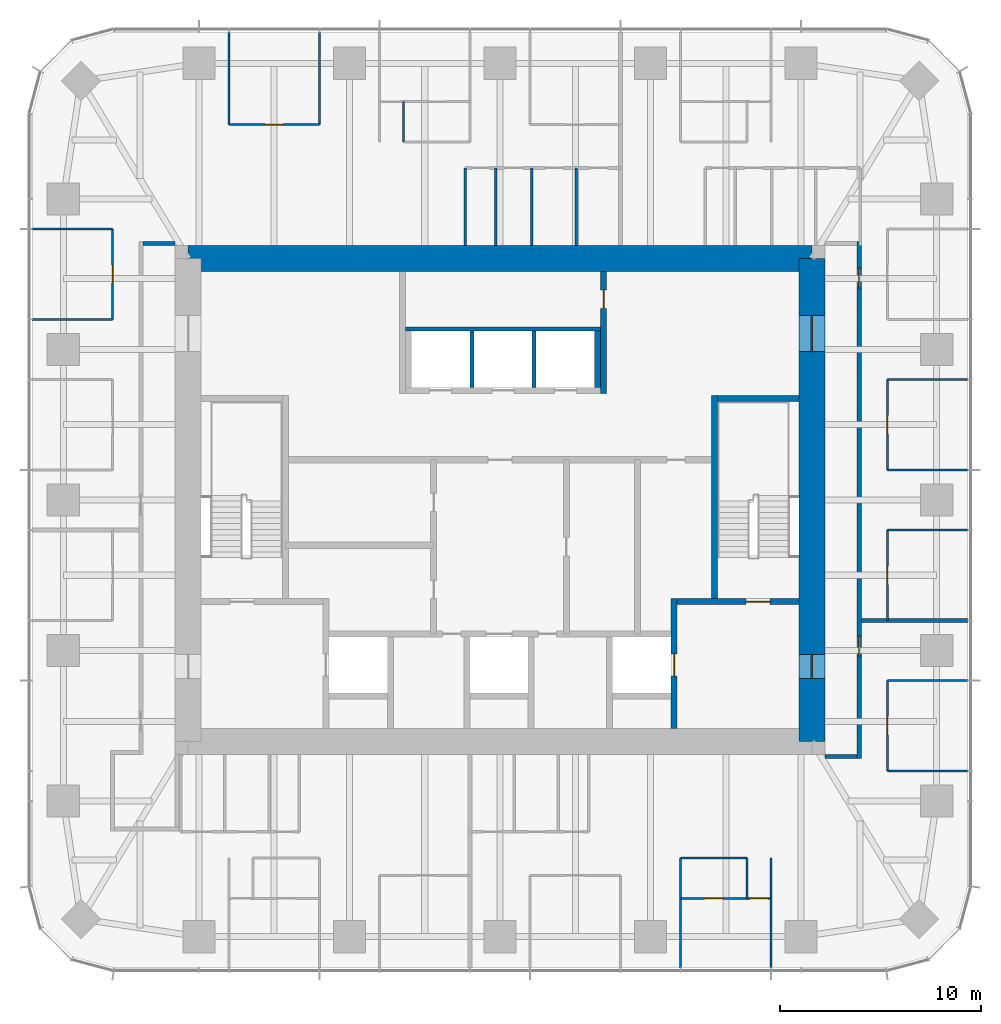
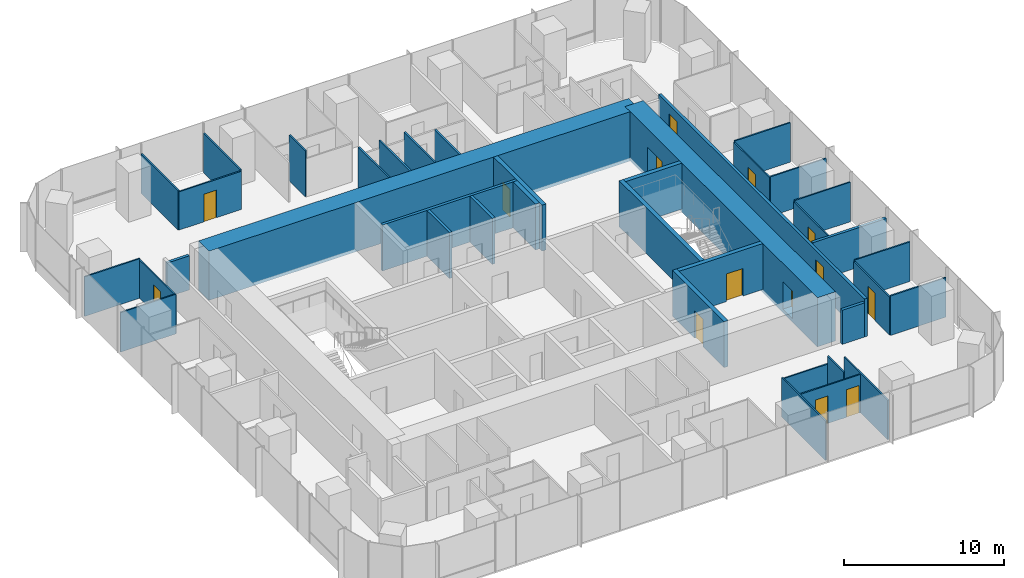
# One storey, part 10 of 12: 39 walls, 14 doors, 14 openings.
"""IFC4 building model written with IfcOpenShell, lengths in metres."""

from ifc_helpers import new_model, si_unit, direction, frame, frame_2d, origin, place, context, subcontext, project, spatial, rectangle, extrude, material, layer, layer_set, type_object, element, fill, save


model = new_model("IFC4")

# Units and contexts
model_context = context("Model", 3, precision=1e-05, world=origin(), true_north=direction((0.0, 1.0)))
body_context = subcontext(model_context, "Body", "Model", "MODEL_VIEW")
ifc_project = project(units=[si_unit("LENGTHUNIT", "METRE"), si_unit("AREAUNIT", "SQUARE_METRE"), si_unit("VOLUMEUNIT", "CUBIC_METRE"), si_unit("PLANEANGLEUNIT", "RADIAN"), si_unit("MASSUNIT", "GRAM", prefix="KILO")], contexts=[model_context])

# Site, building, storey
site_placement = place(None, origin())
site = spatial("IfcSite", under=ifc_project, at=site_placement, CompositionType="ELEMENT")
building_placement = place(site_placement, origin())
building = spatial("IfcBuilding", under=site, at=building_placement, Name="Khuree Lantern Residences", CompositionType="ELEMENT")
storey_placement = place(building_placement, frame((0.0, 0.0, 323.25)))
storey = spatial("IfcBuildingStorey", under=building, at=storey_placement, Name="L81", CompositionType="ELEMENT", Elevation=323.25)

# Walls
ifc_material_1 = material(Name="Moisture-resistant gypsum board on steel studs", Category="steel")
ifc_layer_1 = layer(ifc_material_1, 0.125)
ifc_layer_set_1 = layer_set([ifc_layer_1], Name="BATHROOM WALL BTW125")
wall_type_1 = type_object("IfcWallType", Name="BATHROOM WALL BTW125", PredefinedType="PARTITIONING", material=ifc_layer_set_1)
wall_1_placement = place(storey_placement, frame((3.783935546875, 12.64990234375, 0.0), z_axis=(0.0, 0.0, 1.0), x_axis=(0.0, 1.0, 0.0)))
element("IfcWall", 1, at=wall_1_placement, inside=storey, type_object=wall_type_1, Name="L81 BATHROOM WALL 02", PredefinedType="PARTITIONING", context=body_context, shape_type="SweptSolid", body=[
    extrude(rectangle(XDim=3.846435546875, YDim=0.125, at=frame_2d((1.92333984375, 0.0))), origin(), (0.0, 0.0, 1.0), 2.909912109375),
])
for number, where, z_axis, x_axis, name in (
    (2, (1.583984375, 12.64990234375, 0.0), (0.0, 0.0, 1.0), (0.0, 1.0, 0.0), "L81 BATHROOM WALL 02"),
    (3, (-0.216064453125, 12.64990234375, 0.0), (0.0, 0.0, 1.0), (0.0, 1.0, 0.0), "L81 BATHROOM WALL 02"),
    (4, (-1.716064453125, 12.64990234375, 0.0), (0.0, 0.0, 1.0), (0.0, 1.0, 0.0), "L81 BATHROOM WALL 02"),
):
    element("IfcWall", number, at=place(storey_placement, frame(where, z_axis=z_axis, x_axis=x_axis)), inside=storey, type_object=wall_type_1, Name=name, PredefinedType="PARTITIONING", context=body_context, shape_type="SweptSolid", body=[
        extrude(rectangle(XDim=3.846435546875, YDim=0.125, at=frame_2d((1.92333984375, 0.0))), origin(), (0.0, 0.0, 1.0), 3.5),
    ])

# Wall, opening, door
ifc_material_2 = material(Name="Dense concrete blockwork", Category="masonry")
ifc_layer_2 = layer(ifc_material_2, 0.300048828125)
ifc_layer_set_2 = layer_set([ifc_layer_2], Name="CORE PARTITION WALL CPW300 EI 120")
wall_type_2 = type_object("IfcWallType", Name="CORE PARTITION WALL CPW300 EI 120", PredefinedType="PARTITIONING", material=ifc_layer_set_2)
wall_2_placement = place(storey_placement, frame((8.64990234375, -11.35009765625, 0.0), z_axis=(0.0, 0.0, 1.0), x_axis=(0.0, 1.0, 0.0)))
wall_2 = element("IfcWall", 5, at=wall_2_placement, inside=storey, type_object=wall_type_2, Name="L81 CORE WALL FL2E", PredefinedType="PARTITIONING", context=body_context, shape_type="SweptSolid", body=[
    extrude(rectangle(XDim=6.4501953125, YDim=0.300048828125, at=frame_2d((3.22509765625, 0.0))), origin(), (0.0, 0.0, 1.0), 3.5),
])
opening_1_placement = place(wall_2_placement, frame((2.60009765625, 0.0, 0.0)))
opening_1 = element("IfcOpeningElement", 6, at=opening_1_placement, cuts=wall_2, Name="Opening 81-008", PredefinedType="OPENING", context=body_context, shape_type="SweptSolid", body=[
    extrude(rectangle(XDim=1.10009765625, YDim=2.10009765625, at=frame_2d((0.550048828125, 1.050048828125))), frame((0.0, 0.16015625, 0.0), z_axis=(0.0, -1.0, 0.0), x_axis=(1.0, 0.0, 0.0)), (0.0, 0.0, 1.0), 0.320068359375),
])
ifc_material_3 = material(Name="Stainless steel lift landing door", Category="steel")
door_type_1 = type_object("IfcDoorType", Name="LIFT LANDING DOOR 1100X2100 E 120", OperationType="DOUBLE_DOOR_SLIDING", PredefinedType="DOOR", material=ifc_material_3)
door_1_placement = place(opening_1_placement, origin())
door_1 = element("IfcDoor", 7, at=door_1_placement, inside=storey, type_object=door_type_1, Name="Landing door FL2 81-008", OperationType="DOUBLE_DOOR_SLIDING", OverallHeight=2.10009765625, OverallWidth=1.10009765625, PredefinedType="DOOR", context=body_context, shape_type="SweptSolid", body=[
    extrude(rectangle(XDim=1.10009765625, YDim=2.10009765625, at=frame_2d((0.550048828125, 1.050048828125))), frame((0.0, 0.02490234375, 0.0), z_axis=(0.0, -1.0, 0.0), x_axis=(1.0, 0.0, 0.0)), (0.0, 0.0, 1.0), 0.050048828125),
])
fill(opening_1, door_1)

# Wall
wall_3_placement = place(storey_placement, frame((4.85009765625, 5.60009765625, 0.0), z_axis=(0.0, 0.0, 1.0), x_axis=(0.0, 1.0, 0.0)))
element("IfcWall", 8, at=wall_3_placement, inside=storey, type_object=wall_type_2, Name="L81 CORE WALL PHE", PredefinedType="PARTITIONING", context=body_context, shape_type="SweptSolid", body=[
    extrude(rectangle(XDim=2.7998046875, YDim=0.300048828125, at=frame_2d((1.39990234375, 0.0))), origin(), (0.0, 0.0, 1.0), 3.5),
])

# Wall, opening, door
wall_4_placement = place(storey_placement, frame((5.14990234375, 5.300048828125, 0.0), z_axis=(0.0, 0.0, 1.0), x_axis=(0.0, 1.0, 0.0)))
wall_4 = element("IfcWall", 9, at=wall_4_placement, inside=storey, type_object=wall_type_2, Name="L81 CORE WALL NE", PredefinedType="PARTITIONING", context=body_context, shape_type="SweptSolid", body=[
    extrude(rectangle(XDim=6.050048828125, YDim=0.300048828125, at=frame_2d((3.02490234375, 0.0))), origin(), (0.0, 0.0, 1.0), 3.5),
])
opening_2_placement = place(wall_4_placement, frame((4.22509765625, 0.0, 0.0)))
opening_2 = element("IfcOpeningElement", 10, at=opening_2_placement, cuts=wall_4, Name="Opening 81-020", PredefinedType="OPENING", context=body_context, shape_type="SweptSolid", body=[
    extrude(rectangle(XDim=0.89990234375, YDim=2.10009765625, at=frame_2d((0.449951171875, 1.050048828125))), frame((0.0, 0.16015625, 0.0), z_axis=(0.0, -1.0, 0.0), x_axis=(1.0, 0.0, 0.0)), (0.0, 0.0, 1.0), 0.320068359375),
])
ifc_material_4 = material(Name="Timber door leaf in hardwood frame", Category="wood")
door_type_2 = type_object("IfcDoorType", Name="DOOR 900X2100", OperationType="SINGLE_SWING_LEFT", PredefinedType="DOOR", material=ifc_material_4)
door_2_placement = place(opening_2_placement, origin())
door_2 = element("IfcDoor", 11, at=door_2_placement, inside=storey, type_object=door_type_2, Name="Residents' store door 81-020", OperationType="SINGLE_SWING_LEFT", OverallHeight=2.10009765625, OverallWidth=0.89990234375, PredefinedType="DOOR", context=body_context, shape_type="SweptSolid", body=[
    extrude(rectangle(XDim=0.89990234375, YDim=2.10009765625, at=frame_2d((0.449951171875, 1.050048828125))), frame((0.0, 0.02490234375, 0.0), z_axis=(0.0, -1.0, 0.0), x_axis=(1.0, 0.0, 0.0)), (0.0, 0.0, 1.0), 0.050048828125),
])
fill(opening_2, door_2)

# Walls
ifc_material_5 = material(Name="Gypsum board on steel studs", Category="steel")
ifc_layer_3 = layer(ifc_material_5, 0.199951171875)
ifc_layer_set_3 = layer_set([ifc_layer_3], Name="CORRIDOR WALL CRW200 EI 60")
wall_type_3 = type_object("IfcWallType", Name="CORRIDOR WALL CRW200 EI 60", PredefinedType="PARTITIONING", material=ifc_layer_set_3)
for number, where, z_axis, x_axis, name in (
    (12, (16.14990234375, -12.75, 0.0), (0.0, 0.0, 1.0), (1.0, 0.0, 0.0), "L81 EAST CORRIDOR SOUTH END WALL"),
    (13, (-16.14990234375, 12.75, 0.0), (0.0, 0.0, 1.0), (-1.0, 0.0, 0.0), "L81 WEST CORRIDOR NORTH END WALL"),
):
    element("IfcWall", number, at=place(storey_placement, frame(where, z_axis=z_axis, x_axis=x_axis)), inside=storey, type_object=wall_type_3, Name=name, PredefinedType="PARTITIONING", context=body_context, shape_type="SweptSolid", body=[
        extrude(rectangle(XDim=1.60009765625, YDim=0.199951171875, at=frame_2d((0.800048828125, 0.0))), origin(), (0.0, 0.0, 1.0), 2.60009765625),
    ])

# Wall, openings, doors
wall_5_placement = place(storey_placement, frame((17.85009765625, -12.85009765625, 0.0), z_axis=(0.0, 0.0, 1.0), x_axis=(0.0, 1.0, 0.0)))
wall_5 = element("IfcWall", 14, at=wall_5_placement, inside=storey, type_object=wall_type_3, Name="L81 CORRIDOR WALL EAST 1", PredefinedType="PARTITIONING", context=body_context, shape_type="SweptSolid", body=[
    extrude(rectangle(XDim=25.7001953125, YDim=0.199951171875, at=frame_2d((12.85009765625, 0.0))), origin(), (0.0, 0.0, 1.0), 2.89990234375),
])
opening_3_placement = place(wall_5_placement, frame((23.385986328125, 0.0, 0.0)))
opening_3 = element("IfcOpeningElement", 15, at=opening_3_placement, cuts=wall_5, Name="Opening 81-030", PredefinedType="OPENING", context=body_context, shape_type="SweptSolid", body=[
    extrude(rectangle(XDim=1.0, YDim=2.199951171875, at=frame_2d((0.5, 1.10009765625))), frame((0.0, 0.10986328125, 0.0), z_axis=(0.0, -1.0, 0.0), x_axis=(1.0, 0.0, 0.0)), (0.0, 0.0, 1.0), 0.219970703125),
])
opening_4_placement = place(wall_5_placement, frame((5.10009765625, 0.0, 0.0)))
opening_4 = element("IfcOpeningElement", 16, at=opening_4_placement, cuts=wall_5, Name="Opening 81-057", PredefinedType="OPENING", context=body_context, shape_type="SweptSolid", body=[
    extrude(rectangle(XDim=1.0, YDim=2.199951171875, at=frame_2d((0.5, 1.10009765625))), frame((0.0, 0.10986328125, 0.0), z_axis=(0.0, -1.0, 0.0), x_axis=(1.0, 0.0, 0.0)), (0.0, 0.0, 1.0), 0.219970703125),
])
door_type_3 = type_object("IfcDoorType", Name="APARTMENT ENTRANCE DOOR 1000X2200 EI 30S", OperationType="SINGLE_SWING_LEFT", PredefinedType="DOOR", material=ifc_material_4)
door_3_placement = place(opening_4_placement, origin())
door_3 = element("IfcDoor", 17, at=door_3_placement, inside=storey, type_object=door_type_3, Name="Apartment 04 entrance door 81-057", OperationType="SINGLE_SWING_LEFT", OverallHeight=2.199951171875, OverallWidth=1.0, PredefinedType="DOOR", context=body_context, shape_type="SweptSolid", body=[
    extrude(rectangle(XDim=1.0, YDim=2.199951171875, at=frame_2d((0.5, 1.10009765625))), frame((0.0, 0.02490234375, 0.0), z_axis=(0.0, -1.0, 0.0), x_axis=(1.0, 0.0, 0.0)), (0.0, 0.0, 1.0), 0.050048828125),
])
fill(opening_4, door_3)
door_type_4 = type_object("IfcDoorType", Name="APARTMENT ENTRANCE DOOR 1000X2200 EI 30S RIGHT HAND", OperationType="SINGLE_SWING_RIGHT", PredefinedType="DOOR", material=ifc_material_4)
door_4_placement = place(opening_3_placement, origin())
door_4 = element("IfcDoor", 18, at=door_4_placement, inside=storey, type_object=door_type_4, Name="Apartment 01 entrance door 81-030", OperationType="SINGLE_SWING_RIGHT", OverallHeight=2.199951171875, OverallWidth=1.0, PredefinedType="DOOR", context=body_context, shape_type="SweptSolid", body=[
    extrude(rectangle(XDim=1.0, YDim=2.199951171875, at=frame_2d((0.5, 1.10009765625))), frame((0.0, 0.02490234375, 0.0), z_axis=(0.0, -1.0, 0.0), x_axis=(1.0, 0.0, 0.0)), (0.0, 0.0, 1.0), 0.050048828125),
])
fill(opening_3, door_4)

ifc_material_6 = material(Name="Concrete C50/60", Category="concrete")
ifc_layer_4 = layer(ifc_material_6, 1.300048828125)
ifc_layer_set_4 = layer_set([ifc_layer_4], Name="CW1300-C50 CORE WALL C50 1300")
wall_type_4 = type_object("IfcWallType", Name="CW1300-C50 CORE WALL C50 1300", PredefinedType="SHEAR", material=ifc_layer_set_4)
wall_6_placement = place(storey_placement, frame((15.5, -12.0, -0.25), z_axis=(0.0, 0.0, 1.0), x_axis=(0.0, 1.0, 0.0)))
wall_6 = element("IfcWall", 19, at=wall_6_placement, inside=storey, type_object=wall_type_4, Name="Core wall E", PredefinedType="SHEAR", context=body_context, shape_type="SweptSolid", body=[
    extrude(rectangle(XDim=24.0, YDim=1.300048828125, at=frame_2d((12.0, 0.0))), origin(), (0.0, 0.0, 1.0), 3.75),
])
opening_5_placement = place(wall_6_placement, frame((3.125, 0.0, 0.25)))
opening_5 = element("IfcOpeningElement", 20, at=opening_5_placement, cuts=wall_6, Name="Opening 81-005", PredefinedType="OPENING", context=body_context, shape_type="SweptSolid", body=[
    extrude(rectangle(XDim=1.199951171875, YDim=2.10009765625, at=frame_2d((0.60009765625, 1.050048828125))), frame((0.0, 0.66015625, 0.0), z_axis=(0.0, -1.0, 0.0), x_axis=(1.0, 0.0, 0.0)), (0.0, 0.0, 1.0), 1.320068359375),
])
opening_6_placement = place(wall_6_placement, frame((19.375, 0.0, 0.25)))
opening_6 = element("IfcOpeningElement", 21, at=opening_6_placement, cuts=wall_6, Name="Opening 81-006", PredefinedType="OPENING", context=body_context, shape_type="SweptSolid", body=[
    extrude(rectangle(XDim=1.800048828125, YDim=2.10009765625, at=frame_2d((0.89990234375, 1.050048828125))), frame((0.0, 0.66015625, 0.0), z_axis=(0.0, -1.0, 0.0), x_axis=(1.0, 0.0, 0.0)), (0.0, 0.0, 1.0), 1.320068359375),
])
ifc_material_7 = material(Name="Steel door leaf in steel frame", Category="steel")
door_type_5 = type_object("IfcDoorType", Name="LOBBY DOOR 1200X2100 EI 120", OperationType="SINGLE_SWING_LEFT", PredefinedType="DOOR", material=ifc_material_7)
door_5_placement = place(opening_5_placement, origin())
door_5 = element("IfcDoor", 22, at=door_5_placement, inside=storey, type_object=door_type_5, Name="Firefighting lobby door 81-005", OperationType="SINGLE_SWING_LEFT", OverallHeight=2.10009765625, OverallWidth=1.199951171875, PredefinedType="DOOR", context=body_context, shape_type="SweptSolid", body=[
    extrude(rectangle(XDim=1.199951171875, YDim=2.10009765625, at=frame_2d((0.60009765625, 1.050048828125))), frame((0.0, 0.02490234375, 0.0), z_axis=(0.0, -1.0, 0.0), x_axis=(1.0, 0.0, 0.0)), (0.0, 0.0, 1.0), 0.050048828125),
])
fill(opening_5, door_5)
door_type_6 = type_object("IfcDoorType", Name="LOBBY DOUBLE DOOR 1800X2100 EI 60", OperationType="DOUBLE_DOOR_SINGLE_SWING", PredefinedType="DOOR", material=ifc_material_7)
door_6_placement = place(opening_6_placement, origin())
door_6 = element("IfcDoor", 23, at=door_6_placement, inside=storey, type_object=door_type_6, Name="Lift lobby door 81-006", OperationType="DOUBLE_DOOR_SINGLE_SWING", OverallHeight=2.10009765625, OverallWidth=1.800048828125, PredefinedType="DOOR", context=body_context, shape_type="SweptSolid", body=[
    extrude(rectangle(XDim=1.800048828125, YDim=2.10009765625, at=frame_2d((0.89990234375, 1.050048828125))), frame((0.0, 0.02490234375, 0.0), z_axis=(0.0, -1.0, 0.0), x_axis=(1.0, 0.0, 0.0)), (0.0, 0.0, 1.0), 0.050048828125),
])
fill(opening_6, door_6)

# Walls
wall_7_placement = place(storey_placement, frame((-15.5, 12.0, -0.25), z_axis=(0.0, 0.0, 1.0), x_axis=(1.0, 0.0, 0.0)))
element("IfcWall", 24, at=wall_7_placement, inside=storey, type_object=wall_type_4, Name="Core wall N", PredefinedType="SHEAR", context=body_context, shape_type="SweptSolid", body=[
    extrude(rectangle(XDim=31.0, YDim=1.300048828125, at=frame_2d((15.5, 0.0))), origin(), (0.0, 0.0, 1.0), 3.75),
])
ifc_layer_5 = layer(ifc_material_5, 0.199951171875)
ifc_layer_set_5 = layer_set([ifc_layer_5], Name="DEMISING WALL DMW200 EI 90")
wall_type_5 = type_object("IfcWallType", Name="DEMISING WALL DMW200 EI 90", PredefinedType="PARTITIONING", material=ifc_layer_set_5)
wall_8_placement = place(storey_placement, frame((17.949951171875, -5.98388671875, 0.0), z_axis=(0.0, 0.0, 1.0), x_axis=(1.0, 0.0, 0.0)))
element("IfcWall", 25, at=wall_8_placement, inside=storey, type_object=wall_type_5, Name="L81 DEMISING WALL 01", PredefinedType="PARTITIONING", context=body_context, shape_type="SweptSolid", body=[
    extrude(rectangle(XDim=5.300048828125, YDim=0.199951171875, at=frame_2d((2.64990234375, 0.0))), origin(), (0.0, 0.0, 1.0), 3.010009765625),
])
ifc_layer_6 = layer(ifc_material_5, 0.10009765625)
ifc_layer_set_6 = layer_set([ifc_layer_6], Name="PARTITION PT100")
wall_type_6 = type_object("IfcWallType", Name="PARTITION PT100", PredefinedType="PARTITIONING", material=ifc_layer_set_6)
for number, where, z_axis, x_axis, name in (
    (26, (19.25, -1.49609375, 0.0), (0.0, 0.0, 1.0), (1.0, 0.0, 0.0), "L81 PARTITION 01"),
    (27, (19.25, 1.49609375, 0.0), (0.0, 0.0, 1.0), (1.0, 0.0, 0.0), "L81 PARTITION 01"),
    (28, (19.25, 5.98388671875, 0.0), (0.0, 0.0, 1.0), (1.0, 0.0, 0.0), "L81 PARTITION 01"),
):
    element("IfcWall", number, at=place(storey_placement, frame(where, z_axis=z_axis, x_axis=x_axis)), inside=storey, type_object=wall_type_6, Name=name, PredefinedType="PARTITIONING", context=body_context, shape_type="SweptSolid", body=[
        extrude(rectangle(XDim=4.0, YDim=0.10009765625, at=frame_2d((2.0, 0.0))), origin(), (0.0, 0.0, 1.0), 3.010009765625),
    ])
for number, where, z_axis, x_axis, name in (
    (29, (-8.97607421875, 18.64990234375, 0.0), (0.0, 0.0, 1.0), (0.0, 1.0, 0.0), "L81 PARTITION 02"),
    (30, (-13.464111328125, 18.64990234375, 0.0), (0.0, 0.0, 1.0), (0.0, 1.0, 0.0), "L81 PARTITION 02"),
):
    element("IfcWall", number, at=place(storey_placement, frame(where, z_axis=z_axis, x_axis=x_axis)), inside=storey, type_object=wall_type_6, Name=name, PredefinedType="PARTITIONING", context=body_context, shape_type="SweptSolid", body=[
        extrude(rectangle(XDim=4.60009765625, YDim=0.10009765625, at=frame_2d((2.300048828125, 0.0))), origin(), (0.0, 0.0, 1.0), 3.010009765625),
    ])
for number, where, z_axis, x_axis, name in (
    (31, (-19.25, 13.464111328125, 0.0), (0.0, 0.0, 1.0), (-1.0, 0.0, 0.0), "L81 PARTITION 02"),
    (32, (-19.25, 8.97607421875, 0.0), (0.0, 0.0, 1.0), (-1.0, 0.0, 0.0), "L81 PARTITION 02"),
):
    element("IfcWall", number, at=place(storey_placement, frame(where, z_axis=z_axis, x_axis=x_axis)), inside=storey, type_object=wall_type_6, Name=name, PredefinedType="PARTITIONING", context=body_context, shape_type="SweptSolid", body=[
        extrude(rectangle(XDim=4.0, YDim=0.10009765625, at=frame_2d((2.0, 0.0))), origin(), (0.0, 0.0, 1.0), 3.010009765625),
    ])
for number, where, z_axis, x_axis, name in (
    (33, (8.97607421875, -17.79638671875, 0.0), (0.0, 0.0, 1.0), (0.0, -1.0, 0.0), "L81 PARTITION 04"),
    (34, (13.464111328125, -17.79638671875, 0.0), (0.0, 0.0, 1.0), (0.0, -1.0, 0.0), "L81 PARTITION 04"),
):
    element("IfcWall", number, at=place(storey_placement, frame(where, z_axis=z_axis, x_axis=x_axis)), inside=storey, type_object=wall_type_6, Name=name, PredefinedType="PARTITIONING", context=body_context, shape_type="SweptSolid", body=[
        extrude(rectangle(XDim=5.45361328125, YDim=0.10009765625, at=frame_2d((2.726806640625, 0.0))), origin(), (0.0, 0.0, 1.0), 3.010009765625),
    ])
for number, where, z_axis, x_axis, name in (
    (35, (19.25, -13.464111328125, 0.0), (0.0, 0.0, 1.0), (1.0, 0.0, 0.0), "L81 PARTITION 04"),
    (36, (19.25, -8.97607421875, 0.0), (0.0, 0.0, 1.0), (1.0, 0.0, 0.0), "L81 PARTITION 04"),
):
    element("IfcWall", number, at=place(storey_placement, frame(where, z_axis=z_axis, x_axis=x_axis)), inside=storey, type_object=wall_type_6, Name=name, PredefinedType="PARTITIONING", context=body_context, shape_type="SweptSolid", body=[
        extrude(rectangle(XDim=4.0, YDim=0.10009765625, at=frame_2d((2.0, 0.0))), origin(), (0.0, 0.0, 1.0), 3.010009765625),
    ])

# Wall, opening, door
wall_9_placement = place(storey_placement, frame((19.25, -5.98388671875, 0.0), z_axis=(0.0, 0.0, 1.0), x_axis=(0.0, 1.0, 0.0)))
wall_9 = element("IfcWall", 37, at=wall_9_placement, inside=storey, type_object=wall_type_6, Name="L81 PARTITION 01", PredefinedType="PARTITIONING", context=body_context, shape_type="SweptSolid", body=[
    extrude(rectangle(XDim=4.48779296875, YDim=0.10009765625, at=frame_2d((2.243896484375, 0.0))), origin(), (0.0, 0.0, 1.0), 2.909912109375),
])
opening_7_placement = place(wall_9_placement, frame((1.7939453125, 0.0, 0.0)))
opening_7 = element("IfcOpeningElement", 38, at=opening_7_placement, cuts=wall_9, Name="Opening 81-021", PredefinedType="OPENING", context=body_context, shape_type="SweptSolid", body=[
    extrude(rectangle(XDim=0.89990234375, YDim=2.10009765625, at=frame_2d((0.449951171875, 1.050048828125))), frame((0.0, 0.06005859375, 0.0), z_axis=(0.0, -1.0, 0.0), x_axis=(1.0, 0.0, 0.0)), (0.0, 0.0, 1.0), 0.1201171875),
])
door_type_7 = type_object("IfcDoorType", Name="BEDROOM DOOR 900X2100", OperationType="SINGLE_SWING_LEFT", PredefinedType="DOOR", material=ifc_material_4)
door_7_placement = place(opening_7_placement, origin())
door_7 = element("IfcDoor", 39, at=door_7_placement, inside=storey, type_object=door_type_7, Name="Bedroom door 81-021", OperationType="SINGLE_SWING_LEFT", OverallHeight=2.10009765625, OverallWidth=0.89990234375, PredefinedType="DOOR", context=body_context, shape_type="SweptSolid", body=[
    extrude(rectangle(XDim=0.89990234375, YDim=2.10009765625, at=frame_2d((0.449951171875, 1.050048828125))), frame((0.0, 0.02490234375, 0.0), z_axis=(0.0, -1.0, 0.0), x_axis=(1.0, 0.0, 0.0)), (0.0, 0.0, 1.0), 0.050048828125),
])
fill(opening_7, door_7)

wall_10_placement = place(storey_placement, frame((19.25, 1.49609375, 0.0), z_axis=(0.0, 0.0, 1.0), x_axis=(0.0, 1.0, 0.0)))
wall_10 = element("IfcWall", 40, at=wall_10_placement, inside=storey, type_object=wall_type_6, Name="L81 PARTITION 01", PredefinedType="PARTITIONING", context=body_context, shape_type="SweptSolid", body=[
    extrude(rectangle(XDim=4.48779296875, YDim=0.10009765625, at=frame_2d((2.243896484375, 0.0))), origin(), (0.0, 0.0, 1.0), 2.909912109375),
])
opening_8_placement = place(wall_10_placement, frame((1.7939453125, 0.0, 0.0)))
opening_8 = element("IfcOpeningElement", 41, at=opening_8_placement, cuts=wall_10, Name="Opening 81-022", PredefinedType="OPENING", context=body_context, shape_type="SweptSolid", body=[
    extrude(rectangle(XDim=0.89990234375, YDim=2.10009765625, at=frame_2d((0.449951171875, 1.050048828125))), frame((0.0, 0.06005859375, 0.0), z_axis=(0.0, -1.0, 0.0), x_axis=(1.0, 0.0, 0.0)), (0.0, 0.0, 1.0), 0.1201171875),
])
door_8_placement = place(opening_8_placement, origin())
door_8 = element("IfcDoor", 42, at=door_8_placement, inside=storey, type_object=door_type_7, Name="Bedroom door 81-022", OperationType="SINGLE_SWING_LEFT", OverallHeight=2.10009765625, OverallWidth=0.89990234375, PredefinedType="DOOR", context=body_context, shape_type="SweptSolid", body=[
    extrude(rectangle(XDim=0.89990234375, YDim=2.10009765625, at=frame_2d((0.449951171875, 1.050048828125))), frame((0.0, 0.02490234375, 0.0), z_axis=(0.0, -1.0, 0.0), x_axis=(1.0, 0.0, 0.0)), (0.0, 0.0, 1.0), 0.050048828125),
])
fill(opening_8, door_8)

# Wall
wall_11_placement = place(storey_placement, frame((-4.783935546875, 17.79638671875, 0.0), z_axis=(0.0, 0.0, 1.0), x_axis=(0.0, 1.0, 0.0)))
element("IfcWall", 43, at=wall_11_placement, inside=storey, type_object=wall_type_6, Name="L81 PARTITION 02", PredefinedType="PARTITIONING", context=body_context, shape_type="SweptSolid", body=[
    extrude(rectangle(XDim=2.0, YDim=0.10009765625, at=frame_2d((1.0, 0.0))), origin(), (0.0, 0.0, 1.0), 3.5),
])

# Wall, opening, door
wall_12_placement = place(storey_placement, frame((-8.97607421875, 18.64990234375, 0.0), z_axis=(0.0, 0.0, 1.0), x_axis=(-1.0, 0.0, 0.0)))
wall_12 = element("IfcWall", 44, at=wall_12_placement, inside=storey, type_object=wall_type_6, Name="L81 PARTITION 02", PredefinedType="PARTITIONING", context=body_context, shape_type="SweptSolid", body=[
    extrude(rectangle(XDim=4.488037109375, YDim=0.10009765625, at=frame_2d((2.244140625, 0.0))), origin(), (0.0, 0.0, 1.0), 2.909912109375),
])
opening_9_placement = place(wall_12_placement, frame((1.7939453125, 0.0, 0.0)))
opening_9 = element("IfcOpeningElement", 45, at=opening_9_placement, cuts=wall_12, Name="Opening 81-034", PredefinedType="OPENING", context=body_context, shape_type="SweptSolid", body=[
    extrude(rectangle(XDim=0.89990234375, YDim=2.10009765625, at=frame_2d((0.449951171875, 1.050048828125))), frame((0.0, 0.06005859375, 0.0), z_axis=(0.0, -1.0, 0.0), x_axis=(1.0, 0.0, 0.0)), (0.0, 0.0, 1.0), 0.1201171875),
])
door_9_placement = place(opening_9_placement, origin())
door_9 = element("IfcDoor", 46, at=door_9_placement, inside=storey, type_object=door_type_7, Name="Bedroom door 81-034", OperationType="SINGLE_SWING_LEFT", OverallHeight=2.10009765625, OverallWidth=0.89990234375, PredefinedType="DOOR", context=body_context, shape_type="SweptSolid", body=[
    extrude(rectangle(XDim=0.89990234375, YDim=2.10009765625, at=frame_2d((0.449951171875, 1.050048828125))), frame((0.0, 0.02490234375, 0.0), z_axis=(0.0, -1.0, 0.0), x_axis=(1.0, 0.0, 0.0)), (0.0, 0.0, 1.0), 0.050048828125),
])
fill(opening_9, door_9)

wall_13_placement = place(storey_placement, frame((-19.25, 13.464111328125, 0.0), z_axis=(0.0, 0.0, 1.0), x_axis=(0.0, -1.0, 0.0)))
wall_13 = element("IfcWall", 47, at=wall_13_placement, inside=storey, type_object=wall_type_6, Name="L81 PARTITION 02", PredefinedType="PARTITIONING", context=body_context, shape_type="SweptSolid", body=[
    extrude(rectangle(XDim=4.488037109375, YDim=0.10009765625, at=frame_2d((2.244140625, 0.0))), origin(), (0.0, 0.0, 1.0), 2.909912109375),
])
opening_10_placement = place(wall_13_placement, frame((1.7939453125, 0.0, 0.0)))
opening_10 = element("IfcOpeningElement", 48, at=opening_10_placement, cuts=wall_13, Name="Opening 81-035", PredefinedType="OPENING", context=body_context, shape_type="SweptSolid", body=[
    extrude(rectangle(XDim=0.89990234375, YDim=2.10009765625, at=frame_2d((0.449951171875, 1.050048828125))), frame((0.0, 0.06005859375, 0.0), z_axis=(0.0, -1.0, 0.0), x_axis=(1.0, 0.0, 0.0)), (0.0, 0.0, 1.0), 0.1201171875),
])
door_10_placement = place(opening_10_placement, origin())
door_10 = element("IfcDoor", 49, at=door_10_placement, inside=storey, type_object=door_type_7, Name="Bedroom door 81-035", OperationType="SINGLE_SWING_LEFT", OverallHeight=2.10009765625, OverallWidth=0.89990234375, PredefinedType="DOOR", context=body_context, shape_type="SweptSolid", body=[
    extrude(rectangle(XDim=0.89990234375, YDim=2.10009765625, at=frame_2d((0.449951171875, 1.050048828125))), frame((0.0, 0.02490234375, 0.0), z_axis=(0.0, -1.0, 0.0), x_axis=(1.0, 0.0, 0.0)), (0.0, 0.0, 1.0), 0.050048828125),
])
fill(opening_10, door_10)

# Wall, openings, doors
wall_14_placement = place(storey_placement, frame((8.97607421875, -19.79638671875, 0.0), z_axis=(0.0, 0.0, 1.0), x_axis=(1.0, 0.0, 0.0)))
wall_14 = element("IfcWall", 50, at=wall_14_placement, inside=storey, type_object=wall_type_6, Name="L81 PARTITION 04", PredefinedType="PARTITIONING", context=body_context, shape_type="SweptSolid", body=[
    extrude(rectangle(XDim=4.488037109375, YDim=0.10009765625, at=frame_2d((2.244140625, 0.0))), origin(), (0.0, 0.0, 1.0), 2.909912109375),
])
opening_11_placement = place(wall_14_placement, frame((3.43798828125, 0.0, 0.0)))
opening_11 = element("IfcOpeningElement", 51, at=opening_11_placement, cuts=wall_14, Name="Opening 81-051", PredefinedType="OPENING", context=body_context, shape_type="SweptSolid", body=[
    extrude(rectangle(XDim=0.89990234375, YDim=2.10009765625, at=frame_2d((0.449951171875, 1.050048828125))), frame((0.0, 0.06005859375, 0.0), z_axis=(0.0, -1.0, 0.0), x_axis=(1.0, 0.0, 0.0)), (0.0, 0.0, 1.0), 0.1201171875),
])
opening_12_placement = place(wall_14_placement, frame((1.194091796875, 0.0, 0.0)))
opening_12 = element("IfcOpeningElement", 52, at=opening_12_placement, cuts=wall_14, Name="Opening 81-052", PredefinedType="OPENING", context=body_context, shape_type="SweptSolid", body=[
    extrude(rectangle(XDim=0.89990234375, YDim=2.10009765625, at=frame_2d((0.449951171875, 1.050048828125))), frame((0.0, 0.06005859375, 0.0), z_axis=(0.0, -1.0, 0.0), x_axis=(1.0, 0.0, 0.0)), (0.0, 0.0, 1.0), 0.1201171875),
])
door_11_placement = place(opening_11_placement, origin())
door_11 = element("IfcDoor", 53, at=door_11_placement, inside=storey, type_object=door_type_7, Name="Bedroom door 81-051", OperationType="SINGLE_SWING_LEFT", OverallHeight=2.10009765625, OverallWidth=0.89990234375, PredefinedType="DOOR", context=body_context, shape_type="SweptSolid", body=[
    extrude(rectangle(XDim=0.89990234375, YDim=2.10009765625, at=frame_2d((0.449951171875, 1.050048828125))), frame((0.0, 0.02490234375, 0.0), z_axis=(0.0, -1.0, 0.0), x_axis=(1.0, 0.0, 0.0)), (0.0, 0.0, 1.0), 0.050048828125),
])
fill(opening_11, door_11)
door_12_placement = place(opening_12_placement, origin())
door_12 = element("IfcDoor", 54, at=door_12_placement, inside=storey, type_object=door_type_2, Name="Wardrobe door 81-052", OperationType="SINGLE_SWING_LEFT", OverallHeight=2.10009765625, OverallWidth=0.89990234375, PredefinedType="DOOR", context=body_context, shape_type="SweptSolid", body=[
    extrude(rectangle(XDim=0.89990234375, YDim=2.10009765625, at=frame_2d((0.449951171875, 1.050048828125))), frame((0.0, 0.02490234375, 0.0), z_axis=(0.0, -1.0, 0.0), x_axis=(1.0, 0.0, 0.0)), (0.0, 0.0, 1.0), 0.050048828125),
])
fill(opening_12, door_12)

# Walls
wall_15_placement = place(storey_placement, frame((12.263916015625, -17.79638671875, 0.0), z_axis=(0.0, 0.0, 1.0), x_axis=(0.0, -1.0, 0.0)))
element("IfcWall", 55, at=wall_15_placement, inside=storey, type_object=wall_type_6, Name="L81 PARTITION 04", PredefinedType="PARTITIONING", context=body_context, shape_type="SweptSolid", body=[
    extrude(rectangle(XDim=2.0, YDim=0.10009765625, at=frame_2d((1.0, 0.0))), origin(), (0.0, 0.0, 1.0), 3.5),
])
wall_16_placement = place(storey_placement, frame((8.97607421875, -17.79638671875, 0.0), z_axis=(0.0, 0.0, 1.0), x_axis=(1.0, 0.0, 0.0)))
element("IfcWall", 56, at=wall_16_placement, inside=storey, type_object=wall_type_6, Name="L81 PARTITION 04", PredefinedType="PARTITIONING", context=body_context, shape_type="SweptSolid", body=[
    extrude(rectangle(XDim=3.287841796875, YDim=0.10009765625, at=frame_2d((1.64404296875, 0.0))), origin(), (0.0, 0.0, 1.0), 2.909912109375),
])

# Wall, opening, door
wall_17_placement = place(storey_placement, frame((19.25, -13.464111328125, 0.0), z_axis=(0.0, 0.0, 1.0), x_axis=(0.0, 1.0, 0.0)))
wall_17 = element("IfcWall", 57, at=wall_17_placement, inside=storey, type_object=wall_type_6, Name="L81 PARTITION 04", PredefinedType="PARTITIONING", context=body_context, shape_type="SweptSolid", body=[
    extrude(rectangle(XDim=4.488037109375, YDim=0.10009765625, at=frame_2d((2.244140625, 0.0))), origin(), (0.0, 0.0, 1.0), 2.909912109375),
])
opening_13_placement = place(wall_17_placement, frame((1.7939453125, 0.0, 0.0)))
opening_13 = element("IfcOpeningElement", 58, at=opening_13_placement, cuts=wall_17, Name="Opening 81-053", PredefinedType="OPENING", context=body_context, shape_type="SweptSolid", body=[
    extrude(rectangle(XDim=0.89990234375, YDim=2.10009765625, at=frame_2d((0.449951171875, 1.050048828125))), frame((0.0, 0.06005859375, 0.0), z_axis=(0.0, -1.0, 0.0), x_axis=(1.0, 0.0, 0.0)), (0.0, 0.0, 1.0), 0.1201171875),
])
door_13_placement = place(opening_13_placement, origin())
door_13 = element("IfcDoor", 59, at=door_13_placement, inside=storey, type_object=door_type_7, Name="Bedroom door 81-053", OperationType="SINGLE_SWING_LEFT", OverallHeight=2.10009765625, OverallWidth=0.89990234375, PredefinedType="DOOR", context=body_context, shape_type="SweptSolid", body=[
    extrude(rectangle(XDim=0.89990234375, YDim=2.10009765625, at=frame_2d((0.449951171875, 1.050048828125))), frame((0.0, 0.02490234375, 0.0), z_axis=(0.0, -1.0, 0.0), x_axis=(1.0, 0.0, 0.0)), (0.0, 0.0, 1.0), 0.050048828125),
])
fill(opening_13, door_13)

# Walls
ifc_layer_7 = layer(ifc_material_2, 0.199951171875)
ifc_layer_set_7 = layer_set([ifc_layer_7], Name="SHAFT WALL SHW200 EI 120")
wall_type_7 = type_object("IfcWallType", Name="SHAFT WALL SHW200 EI 120", PredefinedType="PARTITIONING", material=ifc_layer_set_7)
wall_18_placement = place(storey_placement, frame((-4.699951171875, 8.5, 0.0), z_axis=(0.0, 0.0, 1.0), x_axis=(1.0, 0.0, 0.0)))
element("IfcWall", 60, at=wall_18_placement, inside=storey, type_object=wall_type_7, Name="L81 CORE WALL PHN", PredefinedType="PARTITIONING", context=body_context, shape_type="SweptSolid", body=[
    extrude(rectangle(XDim=9.699951171875, YDim=0.199951171875, at=frame_2d((4.85009765625, 0.0))), origin(), (0.0, 0.0, 1.0), 3.5),
])
for number, where, z_axis, x_axis, name in (
    (61, (-1.39990234375, 5.60009765625, 0.0), (0.0, 0.0, 1.0), (0.0, 1.0, 0.0), "L81 CORE WALL PHD1"),
    (62, (1.699951171875, 5.60009765625, 0.0), (0.0, 0.0, 1.0), (0.0, 1.0, 0.0), "L81 CORE WALL PHD2"),
):
    element("IfcWall", number, at=place(storey_placement, frame(where, z_axis=z_axis, x_axis=x_axis)), inside=storey, type_object=wall_type_7, Name=name, PredefinedType="PARTITIONING", context=body_context, shape_type="SweptSolid", body=[
        extrude(rectangle(XDim=2.7998046875, YDim=0.199951171875, at=frame_2d((1.39990234375, 0.0))), origin(), (0.0, 0.0, 1.0), 3.5),
    ])
ifc_layer_8 = layer(ifc_material_6, 0.300048828125)
ifc_layer_set_8 = layer_set([ifc_layer_8], Name="STAIR WALL SRW300 C50/60 REI 240")
wall_type_8 = type_object("IfcWallType", Name="STAIR WALL SRW300 C50/60 REI 240", PredefinedType="SOLIDWALL", material=ifc_layer_set_8)
wall_19_placement = place(storey_placement, frame((10.64990234375, -4.89990234375, 0.0), z_axis=(0.0, 0.0, 1.0), x_axis=(0.0, 1.0, 0.0)))
element("IfcWall", 63, at=wall_19_placement, inside=storey, type_object=wall_type_8, Name="L81 STAIR WALL ST2E", PredefinedType="SOLIDWALL", context=body_context, shape_type="SweptSolid", body=[
    extrude(rectangle(XDim=10.099853515625, YDim=0.300048828125, at=frame_2d((5.0498046875, 0.0))), origin(), (0.0, 0.0, 1.0), 3.5),
])

# Wall, opening, door
wall_20_placement = place(storey_placement, frame((14.85009765625, -5.050048828125, 0.0), z_axis=(0.0, 0.0, 1.0), x_axis=(-1.0, 0.0, 0.0)))
wall_20 = element("IfcWall", 64, at=wall_20_placement, inside=storey, type_object=wall_type_8, Name="L81 STAIR WALL ST2S", PredefinedType="SOLIDWALL", context=body_context, shape_type="SweptSolid", body=[
    extrude(rectangle(XDim=6.050048828125, YDim=0.300048828125, at=frame_2d((3.02490234375, 0.0))), origin(), (0.0, 0.0, 1.0), 3.5),
])
opening_14_placement = place(wall_20_placement, frame((1.425048828125, 0.0, 0.0)))
opening_14 = element("IfcOpeningElement", 65, at=opening_14_placement, cuts=wall_20, Name="Opening 81-004", PredefinedType="OPENING", context=body_context, shape_type="SweptSolid", body=[
    extrude(rectangle(XDim=1.199951171875, YDim=2.10009765625, at=frame_2d((0.60009765625, 1.050048828125))), frame((0.0, 0.16015625, 0.0), z_axis=(0.0, -1.0, 0.0), x_axis=(1.0, 0.0, 0.0)), (0.0, 0.0, 1.0), 0.320068359375),
])
door_type_8 = type_object("IfcDoorType", Name="STAIR DOOR 1200X2100 EI 120", OperationType="SINGLE_SWING_LEFT", PredefinedType="DOOR", material=ifc_material_7)
door_14_placement = place(opening_14_placement, origin())
door_14 = element("IfcDoor", 66, at=door_14_placement, inside=storey, type_object=door_type_8, Name="Stair ST2 door 81-004", OperationType="SINGLE_SWING_LEFT", OverallHeight=2.10009765625, OverallWidth=1.199951171875, PredefinedType="DOOR", context=body_context, shape_type="SweptSolid", body=[
    extrude(rectangle(XDim=1.199951171875, YDim=2.10009765625, at=frame_2d((0.60009765625, 1.050048828125))), frame((0.0, 0.02490234375, 0.0), z_axis=(0.0, -1.0, 0.0), x_axis=(1.0, 0.0, 0.0)), (0.0, 0.0, 1.0), 0.050048828125),
])
fill(opening_14, door_14)

# Wall
wall_21_placement = place(storey_placement, frame((14.85009765625, 5.050048828125, 0.0), z_axis=(0.0, 0.0, 1.0), x_axis=(-1.0, 0.0, 0.0)))
element("IfcWall", 67, at=wall_21_placement, inside=storey, type_object=wall_type_8, Name="L81 STAIR WALL ST2N", PredefinedType="SOLIDWALL", context=body_context, shape_type="SweptSolid", body=[
    extrude(rectangle(XDim=4.050048828125, YDim=0.300048828125, at=frame_2d((2.02490234375, 0.0))), origin(), (0.0, 0.0, 1.0), 3.5),
])

save(model, "model.ifc")
